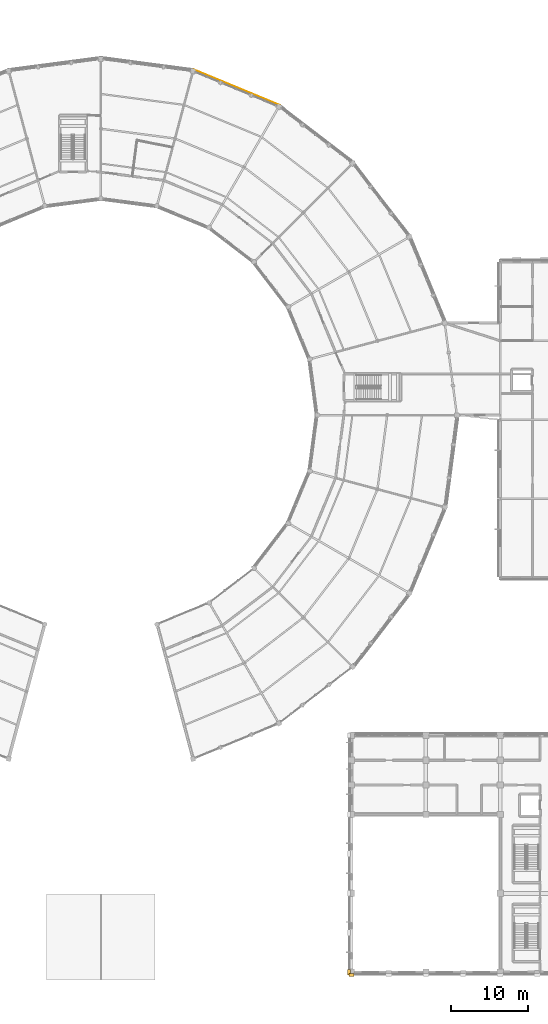
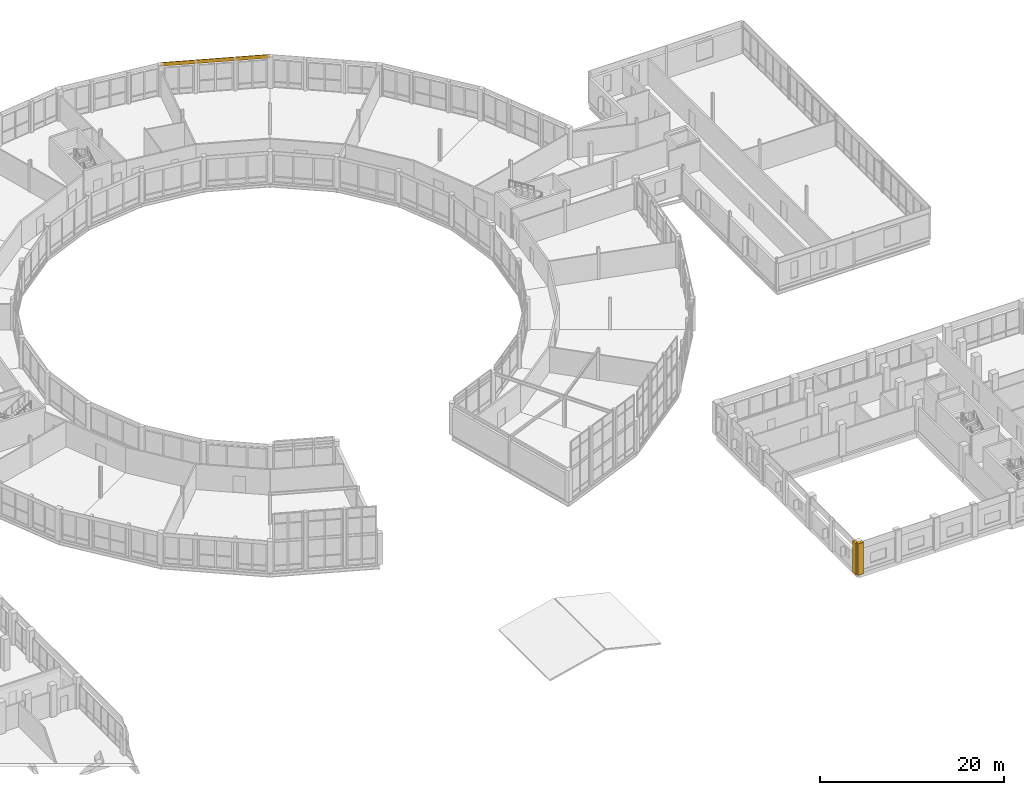
# One storey, part 165 of 170: 3 coverings.
"""IFC4 building model written with IfcOpenShell, lengths in metres."""

import ifcopenshell
import ifcopenshell.guid

model = None  # the IFC model being written
_history = None  # IfcOwnerHistory: only IFC2X3 demands one
_inside = {}  # id of a spatial element -> (the spatial element, [elements in it])
_under = {}  # id of a project, library or spatial element -> (it, [spatial elements below it])
_declared = {}  # id of a project -> (the project, [libraries it declares])
_typed = {}  # id of a type object -> (the type object, [elements of that type])
_made_of = {}  # id of a material, layer set ... -> (it, [elements and type objects made of it])


def new_model(schema):
    """Start an empty IFC model of exactly this schema.

    Asked for "IFC4X3", IfcOpenShell would pick the latest addendum, in which some entities
    have other attributes; the version numbers below select the first issue.
    IFC2X3 requires an IfcOwnerHistory on every rooted entity: one is made here for all.
    """
    global model, _history
    if schema == "IFC4X3":
        model = ifcopenshell.file(schema_version=(4, 3, 0, 0))
    else:
        model = ifcopenshell.file(schema=schema)
    _inside.clear()
    _under.clear()
    _declared.clear()
    _typed.clear()
    _made_of.clear()
    _history = None
    if model.schema == "IFC2X3":
        org = make("IfcOrganization", Name="unknown")
        user = make(
            "IfcPersonAndOrganization",
            ThePerson=make("IfcPerson", FamilyName="unknown"),
            TheOrganization=org,
        )
        app = make(
            "IfcApplication",
            ApplicationDeveloper=org,
            Version="unknown",
            ApplicationFullName="unknown",
            ApplicationIdentifier="unknown",
        )
        _history = make(
            "IfcOwnerHistory",
            OwningUser=user,
            OwningApplication=app,
            ChangeAction="ADDED",
            CreationDate=0,
        )
    return model


def make(cls, **values):
    """One entity of the class cls with the attributes given. An attribute that is None is left unset."""
    return model.create_entity(
        cls, **{name: value for name, value in values.items() if value is not None}
    )


def rooted(cls, **values):
    """An entity with a GlobalId (a new one), such as an element, a storey or a relation."""
    return make(cls, GlobalId=ifcopenshell.guid.new(), OwnerHistory=_history, **values)


def si_unit(unit_type, name, prefix=None):
    """IfcSIUnit, for example si_unit("LENGTHUNIT", "METRE", prefix="MILLI")."""
    return make("IfcSIUnit", UnitType=unit_type, Prefix=prefix, Name=name)


def assignment(units):
    """IfcUnitAssignment: the units of a project."""
    return None if units is None else make("IfcUnitAssignment", Units=units)


def point(xyz):
    """IfcCartesianPoint."""
    return None if xyz is None else make("IfcCartesianPoint", Coordinates=xyz)


def direction(xyz):
    """IfcDirection."""
    return None if xyz is None else make("IfcDirection", DirectionRatios=xyz)


def frame(location, z_axis=None, x_axis=None):
    """IfcAxis2Placement3D, a coordinate frame: its origin and axes. An axis left out is left unset."""
    return make(
        "IfcAxis2Placement3D",
        Location=point(location),
        Axis=direction(z_axis),
        RefDirection=direction(x_axis),
    )


def frame_2d(location, x_axis=None):
    """IfcAxis2Placement2D, a coordinate frame in the plane: its origin and x axis."""
    return make(
        "IfcAxis2Placement2D", Location=point(location), RefDirection=direction(x_axis)
    )


def origin():
    """The frame at (0, 0, 0) with its axes left unset."""
    return frame((0.0, 0.0, 0.0))


def origin_2d():
    """The frame at (0, 0) in the plane with its x axis left unset."""
    return frame_2d((0.0, 0.0))


def place(relative_to, where):
    """IfcLocalPlacement: puts the frame where relative to a parent placement (None: the world)."""
    return make(
        "IfcLocalPlacement", PlacementRelTo=relative_to, RelativePlacement=where
    )


def context(
    kind, dimensions, precision=None, world=None, true_north=None, identifier=None
):
    """IfcGeometricRepresentationContext, for example the 3D "Model" context."""
    return make(
        "IfcGeometricRepresentationContext",
        ContextIdentifier=identifier,
        ContextType=kind,
        CoordinateSpaceDimension=dimensions,
        Precision=precision,
        WorldCoordinateSystem=world,
        TrueNorth=true_north,
    )


def subcontext(parent, identifier, kind, view, scale=None):
    """IfcGeometricRepresentationSubContext, for example "Body" below "Model"."""
    return make(
        "IfcGeometricRepresentationSubContext",
        ContextIdentifier=identifier,
        ContextType=kind,
        ParentContext=parent,
        TargetScale=scale,
        TargetView=view,
    )


def project(units=None, contexts=None):
    """IfcProject with its units and contexts."""
    return rooted(
        "IfcProject",
        Name="project",
        RepresentationContexts=contexts,
        UnitsInContext=assignment(units),
    )


def spatial(cls, under=None, at=None, **own):
    """A site, building, storey or space (cls), placed at a placement, below another one or the project."""
    s = rooted(cls, ObjectPlacement=at, **own)
    if under is not None:
        _under.setdefault(under.id(), (under, []))[1].append(s)
    return s


def profile(cls, at=None, kind="AREA", **sizes):
    """A parametric profile (cls). Its sizes go by their IFC names, for example OverallWidth=200.0."""
    return make(cls, ProfileType=kind, Position=at, **sizes)


def rectangle(**sizes):
    """IfcRectangleProfileDef."""
    return profile("IfcRectangleProfileDef", **sizes)


def extrude(swept, where, along, depth):
    """IfcExtrudedAreaSolid: the profile swept, set in the frame where, extruded along a direction by depth."""
    return make(
        "IfcExtrudedAreaSolid",
        SweptArea=swept,
        Position=where,
        ExtrudedDirection=direction(along),
        Depth=depth,
    )


def shape(context_of_items, identifier, shape_type, items):
    """IfcShapeRepresentation: the items that make up one representation, for example the "Body"."""
    return make(
        "IfcShapeRepresentation",
        ContextOfItems=context_of_items,
        RepresentationIdentifier=identifier,
        RepresentationType=shape_type,
        Items=items,
    )


def material(Name=None, Category=None):
    """IfcMaterial."""
    return make("IfcMaterial", Name=Name, Category=Category)


def layer(
    of_material, thickness, ventilated=None, Name=None, Category=None, Priority=None
):
    """IfcMaterialLayer: one layer of a wall or slab, of a material (None: an air gap)."""
    return make(
        "IfcMaterialLayer",
        Material=of_material,
        LayerThickness=thickness,
        IsVentilated=ventilated,
        Name=Name,
        Category=Category,
        Priority=Priority,
    )


def layer_set(layers, Name=None):
    """IfcMaterialLayerSet."""
    return make("IfcMaterialLayerSet", MaterialLayers=layers, LayerSetName=Name)


def made_of(thing, what):
    """Note that an element or type object is made of a material, layer set ...; save() writes the relation."""
    if what is not None:
        _made_of.setdefault(what.id(), (what, []))[1].append(thing)
    return thing


def type_object(cls, material=None, **own):
    """A type object (cls), such as IfcWallType, which elements share."""
    return made_of(rooted(cls, **own), material)


def element(
    cls,
    number,
    at=None,
    inside=None,
    cuts=None,
    type_object=None,
    material=None,
    context=None,
    identifier="Body",
    shape_type=None,
    held_by="IfcProductDefinitionShape",
    body=None,
    shapes=None,
    **own,
):
    """One element of the class cls, such as IfcWall. Its Tag is "e" and its number.

    at: its placement. inside: the storey or other place that contains it. cuts: it is an
    opening in that element (IfcRelVoidsElement). A single representation is given by context,
    identifier, shape_type and body (its items); several are given by shapes. held_by: the class
    of the entity that holds the representations. save() writes the other relations.
    """
    e = rooted(cls, Tag="e%d" % number, ObjectPlacement=at, **own)
    if body is not None:
        shapes = [shape(context, identifier, shape_type, body)]
    if shapes is not None:
        e.Representation = make(held_by, Representations=shapes)
    if inside is not None:
        _inside.setdefault(inside.id(), (inside, []))[1].append(e)
    if cuts is not None:
        rooted(
            "IfcRelVoidsElement", RelatingBuildingElement=cuts, RelatedOpeningElement=e
        )
    if type_object is not None:
        _typed.setdefault(type_object.id(), (type_object, []))[1].append(e)
    return made_of(e, material)


def aggregate(whole, parts):
    """IfcRelAggregates: a whole, such as a stair, and the parts it consists of."""
    return rooted("IfcRelAggregates", RelatingObject=whole, RelatedObjects=parts)


def save(model, path):
    """Write the relations noted so far, then the file.

    IfcRelAggregates (storeys below a building ...), IfcRelContainedInSpatialStructure (elements
    in a storey), IfcRelDefinesByType, IfcRelAssociatesMaterial and IfcRelDeclares: one each for
    every whole, place, type object, material and project.
    """
    for whole, parts in _under.values():
        aggregate(whole, parts)
    for where, things in _inside.values():
        rooted(
            "IfcRelContainedInSpatialStructure",
            RelatedElements=things,
            RelatingStructure=where,
        )
    for kind, things in _typed.values():
        rooted("IfcRelDefinesByType", RelatedObjects=things, RelatingType=kind)
    for what, things in _made_of.values():
        rooted("IfcRelAssociatesMaterial", RelatedObjects=things, RelatingMaterial=what)
    for by, libraries in _declared.values():
        rooted("IfcRelDeclares", RelatingContext=by, RelatedDefinitions=libraries)
    model.write(path)


model = new_model("IFC4")

# Units and contexts
model_context = context("Model", 3, precision=1e-05, world=origin(), true_north=direction((0.0, 1.0)))
body_context = subcontext(model_context, "Body", "Model", "MODEL_VIEW")
ifc_project = project(units=[si_unit("LENGTHUNIT", "METRE"), si_unit("AREAUNIT", "SQUARE_METRE"), si_unit("VOLUMEUNIT", "CUBIC_METRE"), si_unit("PLANEANGLEUNIT", "RADIAN"), si_unit("MASSUNIT", "GRAM", prefix="KILO")], contexts=[model_context])

# Site, building, storey
site_placement = place(None, origin())
site = spatial("IfcSite", under=ifc_project, at=site_placement, CompositionType="ELEMENT")
building_placement = place(site_placement, origin())
building = spatial("IfcBuilding", under=site, at=building_placement, Name="Vondelvale Polytechnic", CompositionType="ELEMENT")
storey_placement = place(building_placement, frame((0.0, 0.0, 5.39990234375)))
storey = spatial("IfcBuildingStorey", under=building, at=storey_placement, Name="L01", CompositionType="ELEMENT", Elevation=5.39990234375)

# Coverings
ifc_material_1 = material(Name="Amsterdam School iron-spot clinker clay brickwork", Category="masonry")
ifc_layer_1 = layer(ifc_material_1, 0.090087890625)
ifc_layer_set_1 = layer_set([ifc_layer_1], Name="COV-BRICK-RELIEF")
covering_type_1 = type_object("IfcCoveringType", Name="COV-BRICK-RELIEF", PredefinedType="CLADDING", material=ifc_layer_set_1)
covering_1_placement = place(storey_placement, frame((134.39990234375, -0.340087890625, 0.0), z_axis=(0.0, 0.0, 1.0), x_axis=(1.0, 0.0, 0.0)))
element("IfcCovering", 1, at=covering_1_placement, inside=storey, type_object=covering_type_1, Name="L01 Lecture wing giant-order pilaster S", PredefinedType="CLADDING", context=body_context, shape_type="SweptSolid", body=[
    extrude(rectangle(XDim=0.679931640625, YDim=0.360107421875, at=origin_2d()), origin(), (0.0, 0.0, 1.0), 4.199951171875),
])
covering_2_placement = place(storey_placement, frame((134.06005859375, 0.0, 0.0), z_axis=(0.0, 0.0, 1.0), x_axis=(1.0, 0.0, 0.0)))
element("IfcCovering", 2, at=covering_2_placement, inside=storey, type_object=covering_type_1, Name="L01 Lecture wing giant-order pilaster W", PredefinedType="CLADDING", context=body_context, shape_type="SweptSolid", body=[
    extrude(rectangle(XDim=0.360107421875, YDim=0.679931640625, at=origin_2d()), origin(), (0.0, 0.0, 1.0), 4.199951171875),
])
ifc_material_2 = material(Name="Engineered Tasmanian oak studio and bridge joinery")
ifc_layer_2 = layer(ifc_material_2, 0.06494140625)
ifc_layer_set_2 = layer_set([ifc_layer_2], Name="COV-OAK-SPANDREL")
covering_type_2 = type_object("IfcCoveringType", Name="COV-OAK-SPANDREL", PredefinedType="CLADDING", material=ifc_layer_set_2)
covering_3_placement = place(storey_placement, frame((119.533447265625, 114.32958984375, 3.72021484375), z_axis=(0.0, 0.0, 1.0), x_axis=(-0.923879532511, 0.382683432365, 0.0)))
element("IfcCovering", 3, at=covering_3_placement, inside=storey, type_object=covering_type_2, Name="L01 exterior masonry spandrel band", PredefinedType="CLADDING", context=body_context, shape_type="SweptSolid", body=[
    extrude(rectangle(XDim=12.00830078125, YDim=0.06494140625, at=origin_2d()), origin(), (0.0, 0.0, 1.0), 0.47998046875),
])

save(model, "model.ifc")
